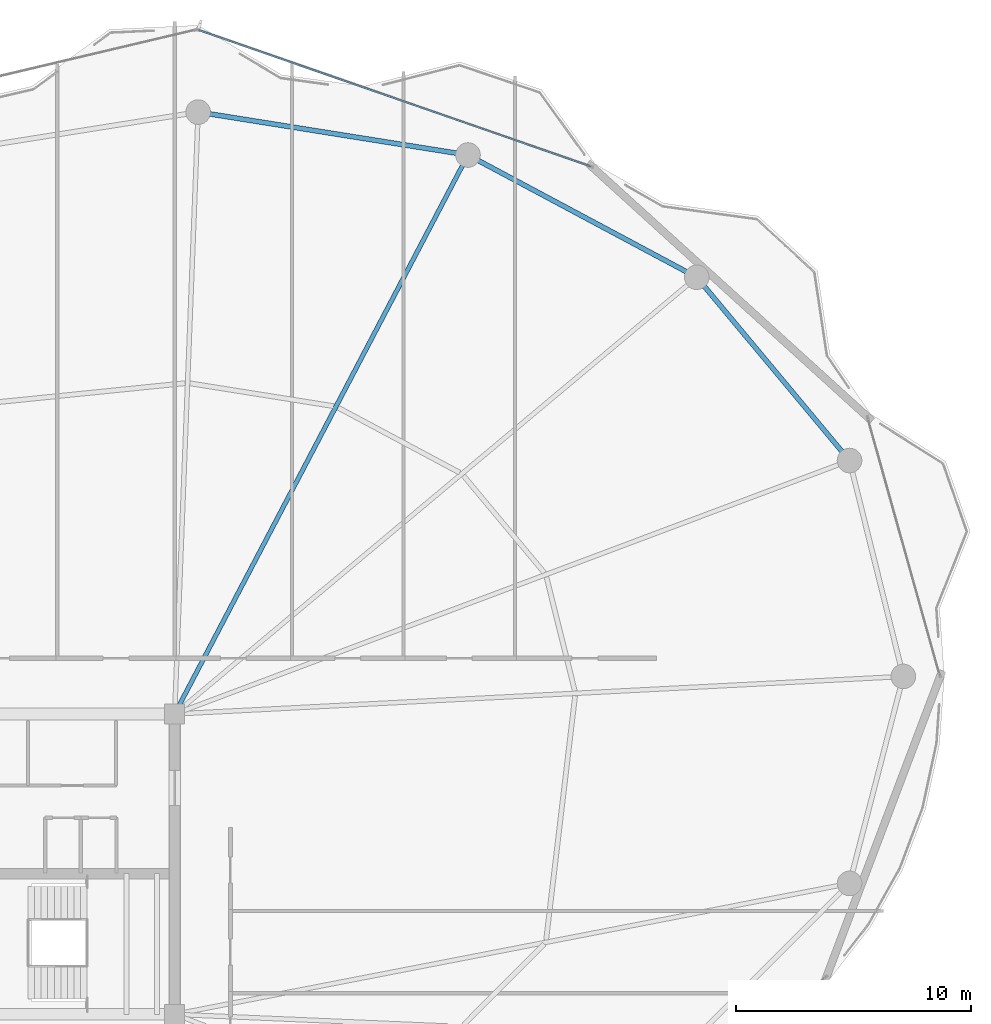
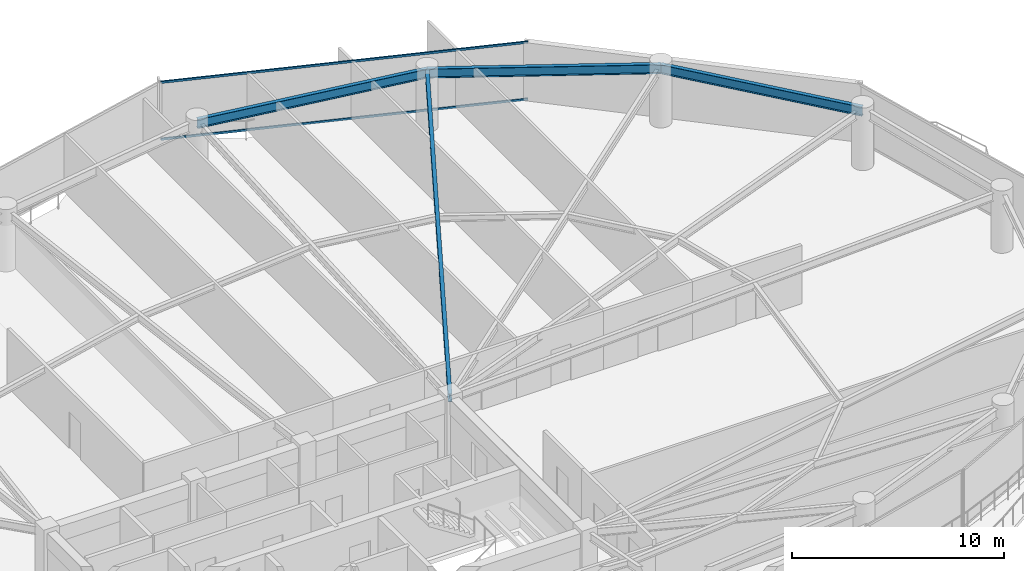
# One storey, part 20 of 28: 4 beams, 2 members, 1 element without a shape of its own.
"""IFC4 building model written with IfcOpenShell, lengths in metres."""

from ifc_helpers import new_model, si_unit, direction, frame, origin, origin_2d, place, context, subcontext, project, spatial, hollow_rectangle, i_section, extrude, material, layer, layer_set, material_profile, profile_set, type_object, element, aggregate, save


model = new_model("IFC4")

# Units and contexts
model_context = context("Model", 3, precision=1e-05, world=origin(), true_north=direction((0.0, 1.0)))
body_context = subcontext(model_context, "Body", "Model", "MODEL_VIEW")
ifc_project = project(units=[si_unit("LENGTHUNIT", "METRE"), si_unit("AREAUNIT", "SQUARE_METRE"), si_unit("VOLUMEUNIT", "CUBIC_METRE"), si_unit("PLANEANGLEUNIT", "RADIAN"), si_unit("MASSUNIT", "GRAM", prefix="KILO")], contexts=[model_context])

# Site, building, storey
site_placement = place(None, origin())
site = spatial("IfcSite", under=ifc_project, at=site_placement, CompositionType="ELEMENT")
building_placement = place(site_placement, origin())
building = spatial("IfcBuilding", under=site, at=building_placement, Name="Kazevale Care Tower and Concert Hall", CompositionType="ELEMENT")
storey_placement = place(building_placement, frame((0.0, 0.0, 231.60009765625)))
storey = spatial("IfcBuildingStorey", under=building, at=storey_placement, Name="L61", CompositionType="ELEMENT", Elevation=231.60009765625)

# Curtain wall, members
ifc_material_1 = material(Name="Aluminium 6063-T6 and Low-E Glass", Category="aluminium")
ifc_layer = layer(ifc_material_1, 0.179931640625)
ifc_layer_set = layer_set([ifc_layer], Name="Aluminium 6063-T6 and Low-E Glass")
curtain_wall_type = type_object("IfcCurtainWallType", Name="Convex Checkerboard Finned Curtain Wall CW-2", PredefinedType="NOTDEFINED", material=ifc_layer_set)
curtain_wall_placement = place(storey_placement, origin())
curtain_wall = element("IfcCurtainWall", 1, at=curtain_wall_placement, inside=storey, type_object=curtain_wall_type, Name="cw:L61:f16", PredefinedType="NOTDEFINED")
ifc_material_2 = material(Name="Aluminium 6063-T6", Category="aluminium")
ifc_material_profile_1 = material_profile(ifc_material_2, hollow_rectangle(XDim=0.074951171875, YDim=0.1201171875, WallThickness=0.00390625, at=origin_2d()), Name="ALU75x120x4")
ifc_profile_set_1 = profile_set([ifc_material_profile_1], Name="Aluminium 6063-T6")
member_type = type_object("IfcMemberType", Name="CW-2 Transom ALU75x120x4", PredefinedType="USERDEFINED", material=ifc_profile_set_1)
member_1_placement = place(storey_placement, frame((45.029541015625, 65.541748046875, 0.037353515625), z_axis=(0.944475733242, -0.328581176146, 0.0), x_axis=(0.328581176146, 0.944475733242, 0.0)))
member_1 = element("IfcMember", 2, at=member_1_placement, type_object=member_type, Name="CW-2 transom 1.1", ObjectType="TRANSOM", PredefinedType="USERDEFINED", context=body_context, shape_type="SweptSolid", body=[
    extrude(hollow_rectangle(XDim=0.074951171875, YDim=0.1201171875, WallThickness=0.00390625, at=origin_2d()), origin(), (0.0, 0.0, 1.0), 17.671142578125),
])
member_2_placement = place(storey_placement, frame((45.029541015625, 65.541748046875, 3.322509765625), z_axis=(0.944475733242, -0.328581176146, 0.0), x_axis=(0.328581176146, 0.944475733242, 0.0)))
member_2 = element("IfcMember", 3, at=member_2_placement, type_object=member_type, Name="CW-2 transom 1.2", ObjectType="TRANSOM", PredefinedType="USERDEFINED", context=body_context, shape_type="SweptSolid", body=[
    extrude(hollow_rectangle(XDim=0.074951171875, YDim=0.1201171875, WallThickness=0.00390625, at=origin_2d()), origin(), (0.0, 0.0, 1.0), 17.671142578125),
])
aggregate(curtain_wall, [member_1, member_2])

# Beams
ifc_material_3 = material(Name="Steel ASTM A572 Gr 50", Category="steel")
ifc_material_profile_2 = material_profile(ifc_material_3, i_section(OverallWidth=0.19091796875, OverallDepth=0.4599609375, WebThickness=0.010009765625, FlangeThickness=0.01611328125, at=origin_2d()), Name="W460x82")
ifc_profile_set_2 = profile_set([ifc_material_profile_2], Name="Steel ASTM A572 Gr 50")
beam_type_1 = type_object("IfcBeamType", Name="Radial Floor Beam W460x82", PredefinedType="BEAM", material=ifc_profile_set_2)
beam_1_placement = place(storey_placement, frame((44.0, 36.39990234375, 3.1298828125), z_axis=(0.464672566396, 0.885482583702, 0.0), x_axis=(-0.885482583702, 0.464672566396, 0.0)))
element("IfcBeam", 4, at=beam_1_placement, inside=storey, type_object=beam_type_1, Name="beam:L61:rad:04", PredefinedType="BEAM", context=body_context, shape_type="SweptSolid", body=[
    extrude(i_section(OverallWidth=0.19091796875, OverallDepth=0.4599609375, WebThickness=0.010009765625, FlangeThickness=0.01611328125, at=origin_2d()), origin(), (0.0, 0.0, 1.0), 26.900634765625),
])
ifc_material_profile_3 = material_profile(ifc_material_3, i_section(OverallWidth=0.208984375, OverallDepth=0.532958984375, WebThickness=0.01025390625, FlangeThickness=0.015625, at=origin_2d()), Name="W530x92")
ifc_profile_set_3 = profile_set([ifc_material_profile_3], Name="Steel ASTM A572 Gr 50")
beam_type_2 = type_object("IfcBeamType", Name="Upper Ring Beam W530x92", PredefinedType="BEAM", material=ifc_profile_set_3)
beam_2_placement = place(storey_placement, frame((72.760009765625, 47.199951171875, 3.093505859375), z_axis=(-0.640278868102, 0.768142546056, 0.0), x_axis=(-0.768142546056, -0.640278868102, 0.0)))
element("IfcBeam", 5, at=beam_2_placement, inside=storey, type_object=beam_type_2, Name="beam:L61:ring:02", PredefinedType="BEAM", context=body_context, shape_type="SweptSolid", body=[
    extrude(i_section(OverallWidth=0.208984375, OverallDepth=0.532958984375, WebThickness=0.01025390625, FlangeThickness=0.015625, at=origin_2d()), origin(), (0.0, 0.0, 1.0), 10.16748046875),
])
beam_3_placement = place(storey_placement, frame((66.25, 55.010009765625, 3.093505859375), z_axis=(-0.881978519833, 0.471289603697, 0.0), x_axis=(-0.471289603697, -0.881978519833, 0.0)))
element("IfcBeam", 6, at=beam_3_placement, inside=storey, type_object=beam_type_2, Name="beam:L61:ring:03", PredefinedType="BEAM", context=body_context, shape_type="SweptSolid", body=[
    extrude(i_section(OverallWidth=0.208984375, OverallDepth=0.532958984375, WebThickness=0.01025390625, FlangeThickness=0.015625, at=origin_2d()), origin(), (0.0, 0.0, 1.0), 11.0546875),
])
beam_4_placement = place(storey_placement, frame((56.5, 60.219970703125, 3.093505859375), z_axis=(-0.987573207584, 0.15715966296, 0.0), x_axis=(-0.15715966296, -0.987573207584, 0.0)))
element("IfcBeam", 7, at=beam_4_placement, inside=storey, type_object=beam_type_2, Name="beam:L61:ring:04", PredefinedType="BEAM", context=body_context, shape_type="SweptSolid", body=[
    extrude(i_section(OverallWidth=0.208984375, OverallDepth=0.532958984375, WebThickness=0.01025390625, FlangeThickness=0.015625, at=origin_2d()), origin(), (0.0, 0.0, 1.0), 11.644775390625),
])

save(model, "model.ifc")
